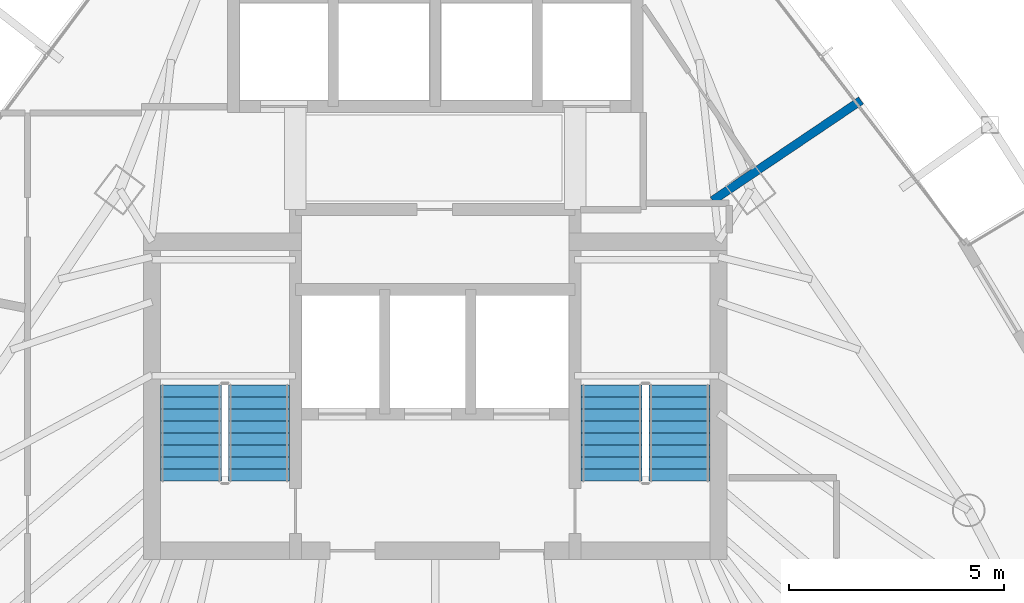
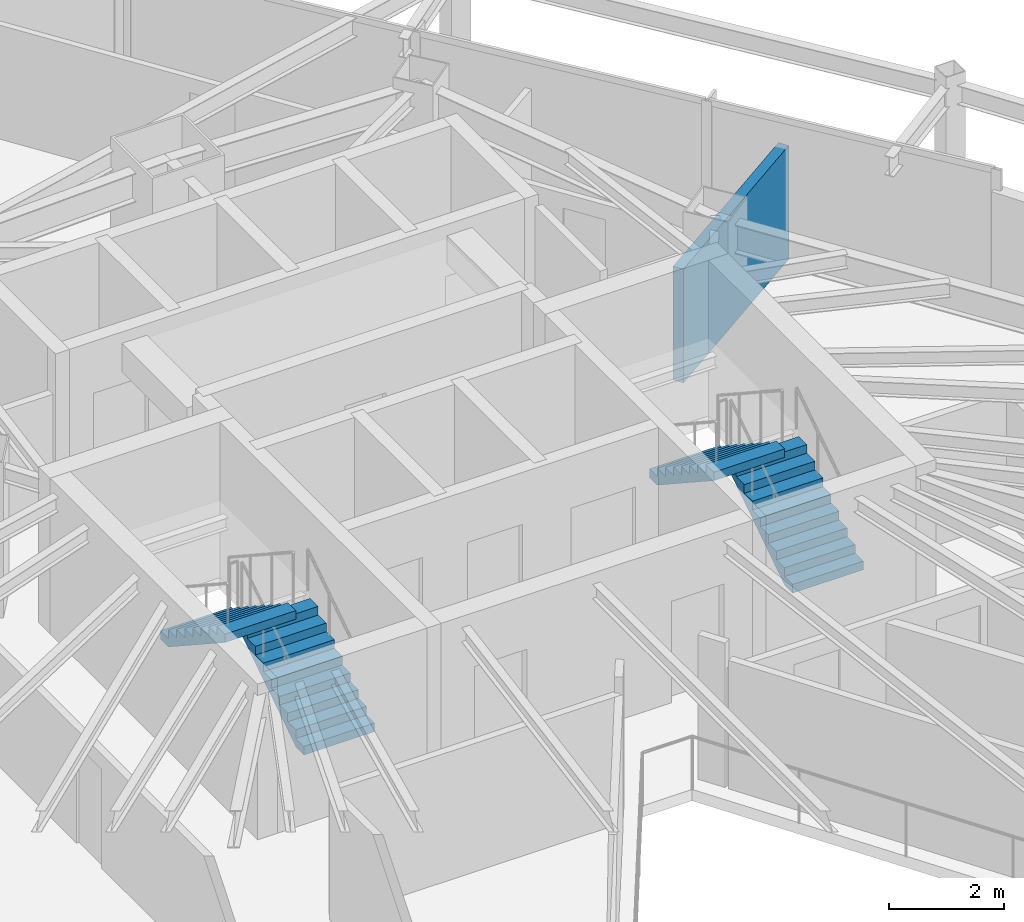
# One storey, part 26 of 29: 4 stair flights, 1 wall, 2 elements without a shape of their own.
"""IFC4 building model written with IfcOpenShell, lengths in metres."""

import ifcopenshell
import ifcopenshell.guid

model = None  # the IFC model being written
_history = None  # IfcOwnerHistory: only IFC2X3 demands one
_inside = {}  # id of a spatial element -> (the spatial element, [elements in it])
_under = {}  # id of a project, library or spatial element -> (it, [spatial elements below it])
_declared = {}  # id of a project -> (the project, [libraries it declares])
_typed = {}  # id of a type object -> (the type object, [elements of that type])
_made_of = {}  # id of a material, layer set ... -> (it, [elements and type objects made of it])


def new_model(schema):
    """Start an empty IFC model of exactly this schema.

    Asked for "IFC4X3", IfcOpenShell would pick the latest addendum, in which some entities
    have other attributes; the version numbers below select the first issue.
    IFC2X3 requires an IfcOwnerHistory on every rooted entity: one is made here for all.
    """
    global model, _history
    if schema == "IFC4X3":
        model = ifcopenshell.file(schema_version=(4, 3, 0, 0))
    else:
        model = ifcopenshell.file(schema=schema)
    _inside.clear()
    _under.clear()
    _declared.clear()
    _typed.clear()
    _made_of.clear()
    _history = None
    if model.schema == "IFC2X3":
        org = make("IfcOrganization", Name="unknown")
        user = make(
            "IfcPersonAndOrganization",
            ThePerson=make("IfcPerson", FamilyName="unknown"),
            TheOrganization=org,
        )
        app = make(
            "IfcApplication",
            ApplicationDeveloper=org,
            Version="unknown",
            ApplicationFullName="unknown",
            ApplicationIdentifier="unknown",
        )
        _history = make(
            "IfcOwnerHistory",
            OwningUser=user,
            OwningApplication=app,
            ChangeAction="ADDED",
            CreationDate=0,
        )
    return model


def make(cls, **values):
    """One entity of the class cls with the attributes given. An attribute that is None is left unset."""
    return model.create_entity(
        cls, **{name: value for name, value in values.items() if value is not None}
    )


def rooted(cls, **values):
    """An entity with a GlobalId (a new one), such as an element, a storey or a relation."""
    return make(cls, GlobalId=ifcopenshell.guid.new(), OwnerHistory=_history, **values)


def si_unit(unit_type, name, prefix=None):
    """IfcSIUnit, for example si_unit("LENGTHUNIT", "METRE", prefix="MILLI")."""
    return make("IfcSIUnit", UnitType=unit_type, Prefix=prefix, Name=name)


def assignment(units):
    """IfcUnitAssignment: the units of a project."""
    return None if units is None else make("IfcUnitAssignment", Units=units)


def point(xyz):
    """IfcCartesianPoint."""
    return None if xyz is None else make("IfcCartesianPoint", Coordinates=xyz)


def direction(xyz):
    """IfcDirection."""
    return None if xyz is None else make("IfcDirection", DirectionRatios=xyz)


def frame(location, z_axis=None, x_axis=None):
    """IfcAxis2Placement3D, a coordinate frame: its origin and axes. An axis left out is left unset."""
    return make(
        "IfcAxis2Placement3D",
        Location=point(location),
        Axis=direction(z_axis),
        RefDirection=direction(x_axis),
    )


def frame_2d(location, x_axis=None):
    """IfcAxis2Placement2D, a coordinate frame in the plane: its origin and x axis."""
    return make(
        "IfcAxis2Placement2D", Location=point(location), RefDirection=direction(x_axis)
    )


def origin():
    """The frame at (0, 0, 0) with its axes left unset."""
    return frame((0.0, 0.0, 0.0))


def place(relative_to, where):
    """IfcLocalPlacement: puts the frame where relative to a parent placement (None: the world)."""
    return make(
        "IfcLocalPlacement", PlacementRelTo=relative_to, RelativePlacement=where
    )


def context(
    kind, dimensions, precision=None, world=None, true_north=None, identifier=None
):
    """IfcGeometricRepresentationContext, for example the 3D "Model" context."""
    return make(
        "IfcGeometricRepresentationContext",
        ContextIdentifier=identifier,
        ContextType=kind,
        CoordinateSpaceDimension=dimensions,
        Precision=precision,
        WorldCoordinateSystem=world,
        TrueNorth=true_north,
    )


def subcontext(parent, identifier, kind, view, scale=None):
    """IfcGeometricRepresentationSubContext, for example "Body" below "Model"."""
    return make(
        "IfcGeometricRepresentationSubContext",
        ContextIdentifier=identifier,
        ContextType=kind,
        ParentContext=parent,
        TargetScale=scale,
        TargetView=view,
    )


def project(units=None, contexts=None):
    """IfcProject with its units and contexts."""
    return rooted(
        "IfcProject",
        Name="project",
        RepresentationContexts=contexts,
        UnitsInContext=assignment(units),
    )


def spatial(cls, under=None, at=None, **own):
    """A site, building, storey or space (cls), placed at a placement, below another one or the project."""
    s = rooted(cls, ObjectPlacement=at, **own)
    if under is not None:
        _under.setdefault(under.id(), (under, []))[1].append(s)
    return s


def polyline(points):
    """IfcPolyline through the points."""
    return make("IfcPolyline", Points=[point(p) for p in points])


def profile(cls, at=None, kind="AREA", **sizes):
    """A parametric profile (cls). Its sizes go by their IFC names, for example OverallWidth=200.0."""
    return make(cls, ProfileType=kind, Position=at, **sizes)


def rectangle(**sizes):
    """IfcRectangleProfileDef."""
    return profile("IfcRectangleProfileDef", **sizes)


def outline(outer, holes=None, kind="AREA"):
    """IfcArbitraryClosedProfileDef: a profile drawn as a closed curve; with holes, ...WithVoids."""
    if holes is None:
        return make("IfcArbitraryClosedProfileDef", ProfileType=kind, OuterCurve=outer)
    return make(
        "IfcArbitraryProfileDefWithVoids",
        ProfileType=kind,
        OuterCurve=outer,
        InnerCurves=holes,
    )


def extrude(swept, where, along, depth):
    """IfcExtrudedAreaSolid: the profile swept, set in the frame where, extruded along a direction by depth."""
    return make(
        "IfcExtrudedAreaSolid",
        SweptArea=swept,
        Position=where,
        ExtrudedDirection=direction(along),
        Depth=depth,
    )


def shape(context_of_items, identifier, shape_type, items):
    """IfcShapeRepresentation: the items that make up one representation, for example the "Body"."""
    return make(
        "IfcShapeRepresentation",
        ContextOfItems=context_of_items,
        RepresentationIdentifier=identifier,
        RepresentationType=shape_type,
        Items=items,
    )


def material(Name=None, Category=None):
    """IfcMaterial."""
    return make("IfcMaterial", Name=Name, Category=Category)


def layer(
    of_material, thickness, ventilated=None, Name=None, Category=None, Priority=None
):
    """IfcMaterialLayer: one layer of a wall or slab, of a material (None: an air gap)."""
    return make(
        "IfcMaterialLayer",
        Material=of_material,
        LayerThickness=thickness,
        IsVentilated=ventilated,
        Name=Name,
        Category=Category,
        Priority=Priority,
    )


def layer_set(layers, Name=None):
    """IfcMaterialLayerSet."""
    return make("IfcMaterialLayerSet", MaterialLayers=layers, LayerSetName=Name)


def made_of(thing, what):
    """Note that an element or type object is made of a material, layer set ...; save() writes the relation."""
    if what is not None:
        _made_of.setdefault(what.id(), (what, []))[1].append(thing)
    return thing


def type_object(cls, material=None, **own):
    """A type object (cls), such as IfcWallType, which elements share."""
    return made_of(rooted(cls, **own), material)


def element(
    cls,
    number,
    at=None,
    inside=None,
    cuts=None,
    type_object=None,
    material=None,
    context=None,
    identifier="Body",
    shape_type=None,
    held_by="IfcProductDefinitionShape",
    body=None,
    shapes=None,
    **own,
):
    """One element of the class cls, such as IfcWall. Its Tag is "e" and its number.

    at: its placement. inside: the storey or other place that contains it. cuts: it is an
    opening in that element (IfcRelVoidsElement). A single representation is given by context,
    identifier, shape_type and body (its items); several are given by shapes. held_by: the class
    of the entity that holds the representations. save() writes the other relations.
    """
    e = rooted(cls, Tag="e%d" % number, ObjectPlacement=at, **own)
    if body is not None:
        shapes = [shape(context, identifier, shape_type, body)]
    if shapes is not None:
        e.Representation = make(held_by, Representations=shapes)
    if inside is not None:
        _inside.setdefault(inside.id(), (inside, []))[1].append(e)
    if cuts is not None:
        rooted(
            "IfcRelVoidsElement", RelatingBuildingElement=cuts, RelatedOpeningElement=e
        )
    if type_object is not None:
        _typed.setdefault(type_object.id(), (type_object, []))[1].append(e)
    return made_of(e, material)


def aggregate(whole, parts):
    """IfcRelAggregates: a whole, such as a stair, and the parts it consists of."""
    return rooted("IfcRelAggregates", RelatingObject=whole, RelatedObjects=parts)


def save(model, path):
    """Write the relations noted so far, then the file.

    IfcRelAggregates (storeys below a building ...), IfcRelContainedInSpatialStructure (elements
    in a storey), IfcRelDefinesByType, IfcRelAssociatesMaterial and IfcRelDeclares: one each for
    every whole, place, type object, material and project.
    """
    for whole, parts in _under.values():
        aggregate(whole, parts)
    for where, things in _inside.values():
        rooted(
            "IfcRelContainedInSpatialStructure",
            RelatedElements=things,
            RelatingStructure=where,
        )
    for kind, things in _typed.values():
        rooted("IfcRelDefinesByType", RelatedObjects=things, RelatingType=kind)
    for what, things in _made_of.values():
        rooted("IfcRelAssociatesMaterial", RelatedObjects=things, RelatingMaterial=what)
    for by, libraries in _declared.values():
        rooted("IfcRelDeclares", RelatingContext=by, RelatedDefinitions=libraries)
    model.write(path)


model = new_model("IFC4")

# Units and contexts
model_context = context("Model", 3, precision=1e-05, world=origin(), true_north=direction((0.0, 1.0)))
body_context = subcontext(model_context, "Body", "Model", "MODEL_VIEW")
ifc_project = project(units=[si_unit("LENGTHUNIT", "METRE"), si_unit("AREAUNIT", "SQUARE_METRE"), si_unit("VOLUMEUNIT", "CUBIC_METRE"), si_unit("PLANEANGLEUNIT", "RADIAN"), si_unit("MASSUNIT", "GRAM", prefix="KILO")], contexts=[model_context])

# Site, building, storey
site_placement = place(None, origin())
site = spatial("IfcSite", under=ifc_project, at=site_placement, CompositionType="ELEMENT")
building_placement = place(site_placement, origin())
building = spatial("IfcBuilding", under=site, at=building_placement, Name="Orvanel Arch Residences", CompositionType="ELEMENT")
storey_placement = place(building_placement, frame((0.0, 0.0, 163.85009765625)))
storey = spatial("IfcBuildingStorey", under=building, at=storey_placement, Name="L46", CompositionType="ELEMENT", Elevation=163.85009765625)

# Wall
ifc_material_1 = material(Name="Fire-rated plasterboard lined steel stud partition", Category="steel")
ifc_layer = layer(ifc_material_1, 0.199951171875)
ifc_layer_set = layer_set([ifc_layer], Name="Fire-rated plasterboard lined steel stud partition")
wall_type = type_object("IfcWallType", Name="W-DEM-200", PredefinedType="PARTITIONING", material=ifc_layer_set)
wall_placement = place(storey_placement, frame((39.464111328125, 34.860107421875, 0.0), z_axis=(0.0, 0.0, 1.0), x_axis=(0.828976210701, 0.559283865395, 0.0)))
element("IfcWall", 1, at=wall_placement, inside=storey, type_object=wall_type, Name="L46 Inter-Tenancy Acoustic Demising Wall", PredefinedType="PARTITIONING", context=body_context, shape_type="SweptSolid", body=[
    extrude(rectangle(XDim=4.17138671875, YDim=0.199951171875, at=frame_2d((2.085693359375, 0.0))), origin(), (0.0, 0.0, 1.0), 2.412841796875),
])

# Stair, stair flights
ifc_material_2 = material(Name="Precast concrete N50 (50 MPa)", Category="concrete")
stair_type = type_object("IfcStairType", Name="STR-DOG-184", PredefinedType="USERDEFINED", material=ifc_material_2)
stair_1_placement = place(storey_placement, origin())
stair_1 = element("IfcStair", 2, at=stair_1_placement, inside=storey, type_object=stair_type, Name="L46 Fire-Isolated Core Exit Stair 1", ObjectType="TWO_RETURN_STAIR", PredefinedType="USERDEFINED")
stair_flight_type_1 = type_object("IfcStairFlightType", Name="SFL-C1-184", PredefinedType="STRAIGHT", material=ifc_material_2)
stair_flight_1_placement = place(storey_placement, frame((28.889892578125, 28.320068359375, 0.0), z_axis=(0.0, 0.0, 1.0), x_axis=(0.0, 1.0, 0.0)))
stair_flight_1 = element("IfcStairFlight", 3, at=stair_flight_1_placement, type_object=stair_flight_type_1, Name="ST-1 flight 1", NumberOfRisers=9, NumberOfTreads=8, PredefinedType="STRAIGHT", RiserHeight=0.183333333, TreadLength=0.28, context=body_context, shape_type="SweptSolid", body=[
    extrude(outline(polyline([(0.0, 0.0), (0.0, 0.183349609375), (0.280029296875, 0.183349609375), (0.280029296875, 0.36669921875), (0.56005859375, 0.36669921875), (0.56005859375, 0.550048828125), (0.840087890625, 0.550048828125), (0.840087890625, 0.7333984375), (1.1201171875, 0.7333984375), (1.1201171875, 0.916748046875), (1.39990234375, 0.916748046875), (1.39990234375, 1.10009765625), (1.679931640625, 1.10009765625), (1.679931640625, 1.283447265625), (1.9599609375, 1.283447265625), (1.9599609375, 1.466552734375), (2.239990234375, 1.466552734375), (2.239990234375, 1.64990234375), (2.239990234375, 1.28759765625), (0.273681640625, 0.0), (0.0, 0.0)])), frame((0.0, 0.7099609375, 0.0), z_axis=(0.0, -1.0, 0.0), x_axis=(1.0, 0.0, 0.0)), (0.0, 0.0, 1.0), 1.419921875),
])
stair_flight_2_placement = place(storey_placement, frame((27.31005859375, 30.56005859375, 1.64990234375), z_axis=(0.0, 0.0, 1.0), x_axis=(0.0, -1.0, 0.0)))
stair_flight_2 = element("IfcStairFlight", 4, at=stair_flight_2_placement, type_object=stair_flight_type_1, Name="ST-1 flight 2", NumberOfRisers=9, NumberOfTreads=8, PredefinedType="STRAIGHT", RiserHeight=0.183333333, TreadLength=0.28, context=body_context, shape_type="SweptSolid", body=[
    extrude(outline(polyline([(0.0, 0.0), (0.0, 0.183349609375), (0.280029296875, 0.183349609375), (0.280029296875, 0.36669921875), (0.56005859375, 0.36669921875), (0.56005859375, 0.550048828125), (0.840087890625, 0.550048828125), (0.840087890625, 0.7333984375), (1.1201171875, 0.7333984375), (1.1201171875, 0.916748046875), (1.39990234375, 0.916748046875), (1.39990234375, 1.10009765625), (1.679931640625, 1.10009765625), (1.679931640625, 1.283447265625), (1.9599609375, 1.283447265625), (1.9599609375, 1.466552734375), (2.239990234375, 1.466552734375), (2.239990234375, 1.64990234375), (2.239990234375, 1.28759765625), (0.273681640625, 0.0), (0.0, 0.0)])), frame((0.0, 0.7099609375, 0.0), z_axis=(0.0, -1.0, 0.0), x_axis=(1.0, 0.0, 0.0)), (0.0, 0.0, 1.0), 1.419921875),
])
aggregate(stair_1, [stair_flight_1, stair_flight_2])

stair_2_placement = place(storey_placement, origin())
stair_2 = element("IfcStair", 5, at=stair_2_placement, inside=storey, type_object=stair_type, Name="L46 Fire-Isolated Core Exit Stair 2", ObjectType="TWO_RETURN_STAIR", PredefinedType="USERDEFINED")
stair_flight_type_2 = type_object("IfcStairFlightType", Name="SFL-C2-184", PredefinedType="STRAIGHT", material=ifc_material_2)
stair_flight_3_placement = place(storey_placement, frame((38.68994140625, 28.320068359375, 0.0), z_axis=(0.0, 0.0, 1.0), x_axis=(0.0, 1.0, 0.0)))
stair_flight_3 = element("IfcStairFlight", 6, at=stair_flight_3_placement, type_object=stair_flight_type_2, Name="ST-2 flight 1", NumberOfRisers=9, NumberOfTreads=8, PredefinedType="STRAIGHT", RiserHeight=0.183333333, TreadLength=0.28, context=body_context, shape_type="SweptSolid", body=[
    extrude(outline(polyline([(0.0, 0.0), (0.0, 0.183349609375), (0.280029296875, 0.183349609375), (0.280029296875, 0.36669921875), (0.56005859375, 0.36669921875), (0.56005859375, 0.550048828125), (0.840087890625, 0.550048828125), (0.840087890625, 0.7333984375), (1.1201171875, 0.7333984375), (1.1201171875, 0.916748046875), (1.39990234375, 0.916748046875), (1.39990234375, 1.10009765625), (1.679931640625, 1.10009765625), (1.679931640625, 1.283447265625), (1.9599609375, 1.283447265625), (1.9599609375, 1.466552734375), (2.239990234375, 1.466552734375), (2.239990234375, 1.64990234375), (2.239990234375, 1.28759765625), (0.273681640625, 0.0), (0.0, 0.0)])), frame((0.0, 0.7099609375, 0.0), z_axis=(0.0, -1.0, 0.0), x_axis=(1.0, 0.0, 0.0)), (0.0, 0.0, 1.0), 1.419921875),
])
stair_flight_4_placement = place(storey_placement, frame((37.110107421875, 30.56005859375, 1.64990234375), z_axis=(0.0, 0.0, 1.0), x_axis=(0.0, -1.0, 0.0)))
stair_flight_4 = element("IfcStairFlight", 7, at=stair_flight_4_placement, type_object=stair_flight_type_2, Name="ST-2 flight 2", NumberOfRisers=9, NumberOfTreads=8, PredefinedType="STRAIGHT", RiserHeight=0.183333333, TreadLength=0.28, context=body_context, shape_type="SweptSolid", body=[
    extrude(outline(polyline([(0.0, 0.0), (0.0, 0.183349609375), (0.280029296875, 0.183349609375), (0.280029296875, 0.36669921875), (0.56005859375, 0.36669921875), (0.56005859375, 0.550048828125), (0.840087890625, 0.550048828125), (0.840087890625, 0.7333984375), (1.1201171875, 0.7333984375), (1.1201171875, 0.916748046875), (1.39990234375, 0.916748046875), (1.39990234375, 1.10009765625), (1.679931640625, 1.10009765625), (1.679931640625, 1.283447265625), (1.9599609375, 1.283447265625), (1.9599609375, 1.466552734375), (2.239990234375, 1.466552734375), (2.239990234375, 1.64990234375), (2.239990234375, 1.28759765625), (0.273681640625, 0.0), (0.0, 0.0)])), frame((0.0, 0.7099609375, 0.0), z_axis=(0.0, -1.0, 0.0), x_axis=(1.0, 0.0, 0.0)), (0.0, 0.0, 1.0), 1.419921875),
])
aggregate(stair_2, [stair_flight_3, stair_flight_4])

save(model, "model.ifc")
